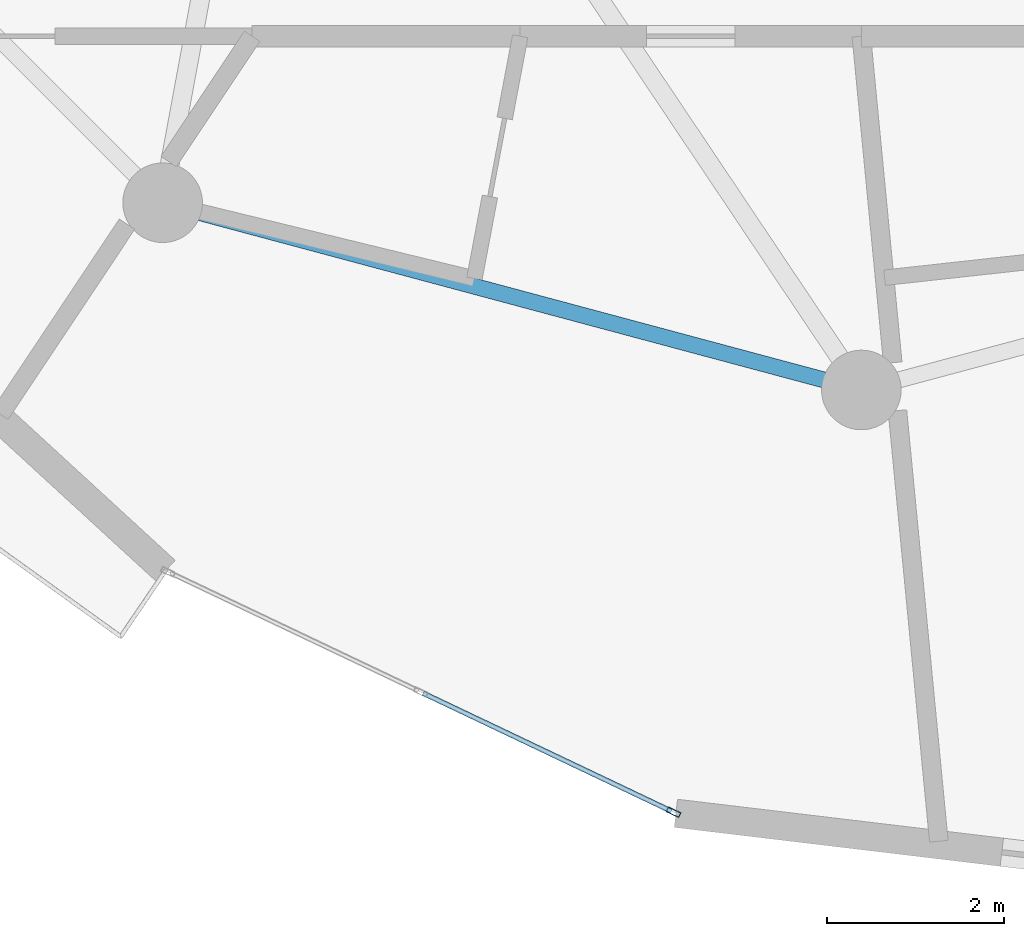
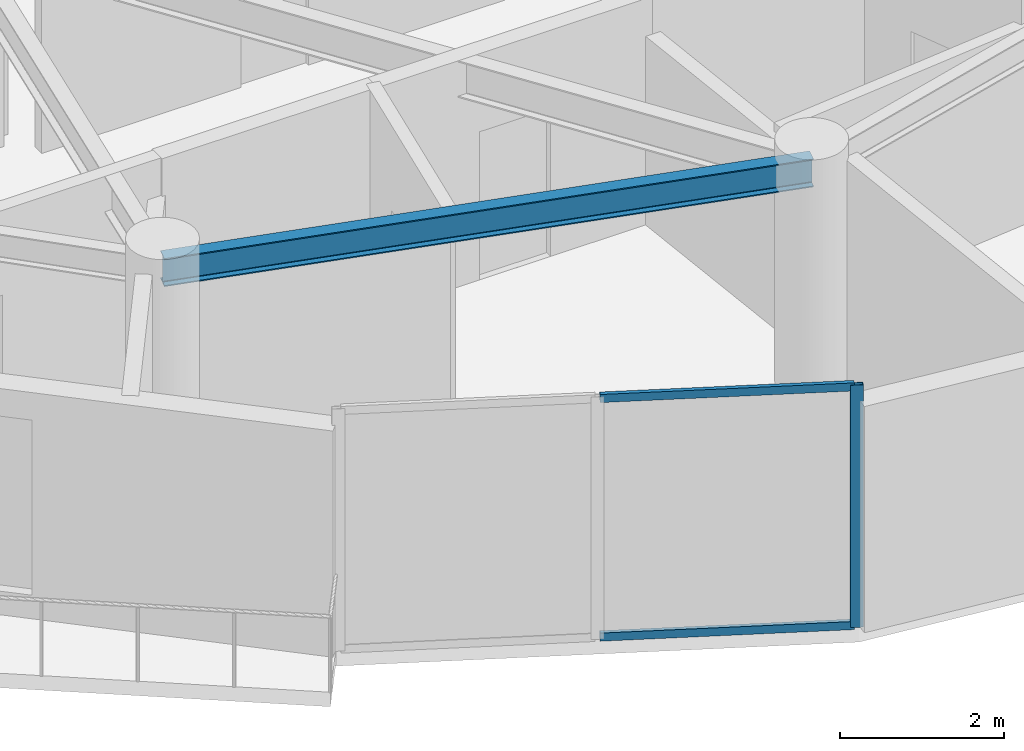
# One storey, part 3 of 20: 3 members, 1 beam, 1 element without a shape of its own.
"""IFC4 building model written with IfcOpenShell, lengths in metres."""

from ifc_helpers import new_model, si_unit, direction, frame, origin, origin_2d, place, context, subcontext, project, spatial, hollow_rectangle, i_section, extrude, source, transform, mapped, material, layer, layer_set, material_profile, profile_set, type_object, element, aggregate, save


model = new_model("IFC4")

# Units and contexts
model_context = context("Model", 3, precision=1e-05, world=origin(), true_north=direction((0.0, 1.0)))
body_context = subcontext(model_context, "Body", "Model", "MODEL_VIEW")
ifc_project = project(units=[si_unit("LENGTHUNIT", "METRE"), si_unit("AREAUNIT", "SQUARE_METRE"), si_unit("VOLUMEUNIT", "CUBIC_METRE"), si_unit("PLANEANGLEUNIT", "RADIAN"), si_unit("MASSUNIT", "GRAM", prefix="KILO")], contexts=[model_context])

# Site, building, storey
site_placement = place(None, origin())
site = spatial("IfcSite", under=ifc_project, at=site_placement, CompositionType="ELEMENT")
building_placement = place(site_placement, origin())
building = spatial("IfcBuilding", under=site, at=building_placement, Name="Solvirekh Grand Hotel", CompositionType="ELEMENT")
storey_placement = place(building_placement, frame((0.0, 0.0, 209.199951171875)))
storey = spatial("IfcBuildingStorey", under=building, at=storey_placement, Name="L54", CompositionType="ELEMENT", Elevation=209.199951171875)

# Beam
ifc_material_1 = material(Name="Steel S355", Category="steel")
ifc_material_profile_1 = material_profile(ifc_material_1, i_section(OverallWidth=0.180908203125, OverallDepth=0.4169921875, WebThickness=0.010009765625, FlangeThickness=0.01611328125, FilletRadius=0.011962890625, at=origin_2d()), Name="W410X85")
ifc_profile_set_1 = profile_set([ifc_material_profile_1], Name="Steel S355")
beam_type = type_object("IfcBeamType", Name="Spandrel_Ring_W410", PredefinedType="SPANDREL", material=ifc_profile_set_1)
beam_placement = place(storey_placement, frame((-7.89990234375, -13.68310546875, 3.152099609375), z_axis=(0.965920601923, -0.258838541915, 0.0), x_axis=(0.258838541915, 0.965920601923, 0.0)))
element("IfcBeam", 1, at=beam_placement, inside=storey, type_object=beam_type, Name="L54 perimeter spandrel beam 9", PredefinedType="SPANDREL", context=body_context, shape_type="SweptSolid", body=[
    extrude(i_section(OverallWidth=0.180908203125, OverallDepth=0.4169921875, WebThickness=0.010009765625, FlangeThickness=0.01611328125, FilletRadius=0.011962890625, at=origin_2d()), origin(), (0.0, 0.0, 1.0), 8.1787109375),
])

# Curtain wall, members
ifc_material_2 = material(Name="Anodized Bronze Aluminium 6063-T6", Category="aluminium")
ifc_layer = layer(ifc_material_2, 0.159912109375)
ifc_layer_set = layer_set([ifc_layer], Name="Anodized Bronze Aluminium 6063-T6")
curtain_wall_type = type_object("IfcCurtainWallType", Name="CW_Sys4_HighZoneFlushBronzeCW", PredefinedType="NOTDEFINED", material=ifc_layer_set)
curtain_wall_placement = place(storey_placement, origin())
curtain_wall = element("IfcCurtainWall", 2, at=curtain_wall_placement, inside=storey, type_object=curtain_wall_type, Name="L54 unitised bronze-glass curtain wall CW-L54-C18", PredefinedType="NOTDEFINED")
ifc_material_profile_2 = material_profile(ifc_material_2, hollow_rectangle(XDim=0.06005859375, YDim=0.159912109375, WallThickness=0.0048828125, at=origin_2d()), Name="ALU RHS 160X60X5")
ifc_profile_set_2 = profile_set([ifc_material_profile_2], Name="Anodized Bronze Aluminium 6063-T6")
member_type_1 = type_object("IfcMemberType", Name="CWMullion_Sys4", PredefinedType="MULLION", material=ifc_profile_set_2)
shared_shape_1 = source(origin(), body_context, "Body", "SweptSolid", [
    extrude(hollow_rectangle(XDim=0.06005859375, YDim=0.159912109375, WallThickness=0.0048828125, at=origin_2d()), origin(), (0.0, 0.0, 1.0), 3.60009765625),
])
member_1_placement = place(storey_placement, frame((-2.1240234375, -20.57421875, 0.0), z_axis=(0.0, 0.0, 1.0), x_axis=(0.429344138522, 0.90314096946, 0.0)))
member_1 = element("IfcMember", 3, at=member_1_placement, type_object=member_type_1, Name="U04 mullion 3", PredefinedType="MULLION", context=body_context, shape_type="MappedRepresentation", body=[
    mapped(shared_shape_1, transform((0.0, 0.0, 0.0), x_axis=(1.0, 0.0, 0.0), y_axis=(0.0, 1.0, 0.0), z_axis=(0.0, 0.0, 1.0), scale=1.0)),
])
ifc_material_profile_3 = material_profile(ifc_material_2, hollow_rectangle(XDim=0.054931640625, YDim=0.1201171875, WallThickness=0.00390625, at=origin_2d()), Name="ALU RHS 120X55X4")
ifc_profile_set_3 = profile_set([ifc_material_profile_3], Name="Anodized Bronze Aluminium 6063-T6")
member_type_2 = type_object("IfcMemberType", Name="CWTransom_Sys4", PredefinedType="USERDEFINED", material=ifc_profile_set_3)
shared_shape_2 = source(origin(), body_context, "Body", "SweptSolid", [
    extrude(hollow_rectangle(XDim=0.054931640625, YDim=0.1201171875, WallThickness=0.00390625, at=origin_2d()), origin(), (0.0, 0.0, 1.0), 3.1044921875),
])
member_2_placement = place(storey_placement, frame((-4.954833984375, -19.228271484375, 0.027587890625), z_axis=(0.903122006285, -0.429384025977, 0.0), x_axis=(0.429384025977, 0.903122006285, 0.0)))
member_2 = element("IfcMember", 4, at=member_2_placement, type_object=member_type_2, Name="U04 transom 2.1", ObjectType="TRANSOM", PredefinedType="USERDEFINED", context=body_context, shape_type="MappedRepresentation", body=[
    mapped(shared_shape_2, transform((0.0, 0.0, 0.0), x_axis=(1.0, 0.0, 0.0), y_axis=(0.0, 1.0, 0.0), z_axis=(0.0, 0.0, 1.0), scale=1.0)),
])
member_3_placement = place(storey_placement, frame((-4.954833984375, -19.228271484375, 3.572509765625), z_axis=(0.903122006285, -0.429384025977, 0.0), x_axis=(0.429384025977, 0.903122006285, 0.0)))
member_3 = element("IfcMember", 5, at=member_3_placement, type_object=member_type_2, Name="U04 transom 2.2", ObjectType="TRANSOM", PredefinedType="USERDEFINED", context=body_context, shape_type="MappedRepresentation", body=[
    mapped(shared_shape_2, transform((0.0, 0.0, 0.0), x_axis=(1.0, 0.0, 0.0), y_axis=(0.0, 1.0, 0.0), z_axis=(0.0, 0.0, 1.0), scale=1.0)),
])
aggregate(curtain_wall, [member_1, member_2, member_3])

save(model, "model.ifc")
